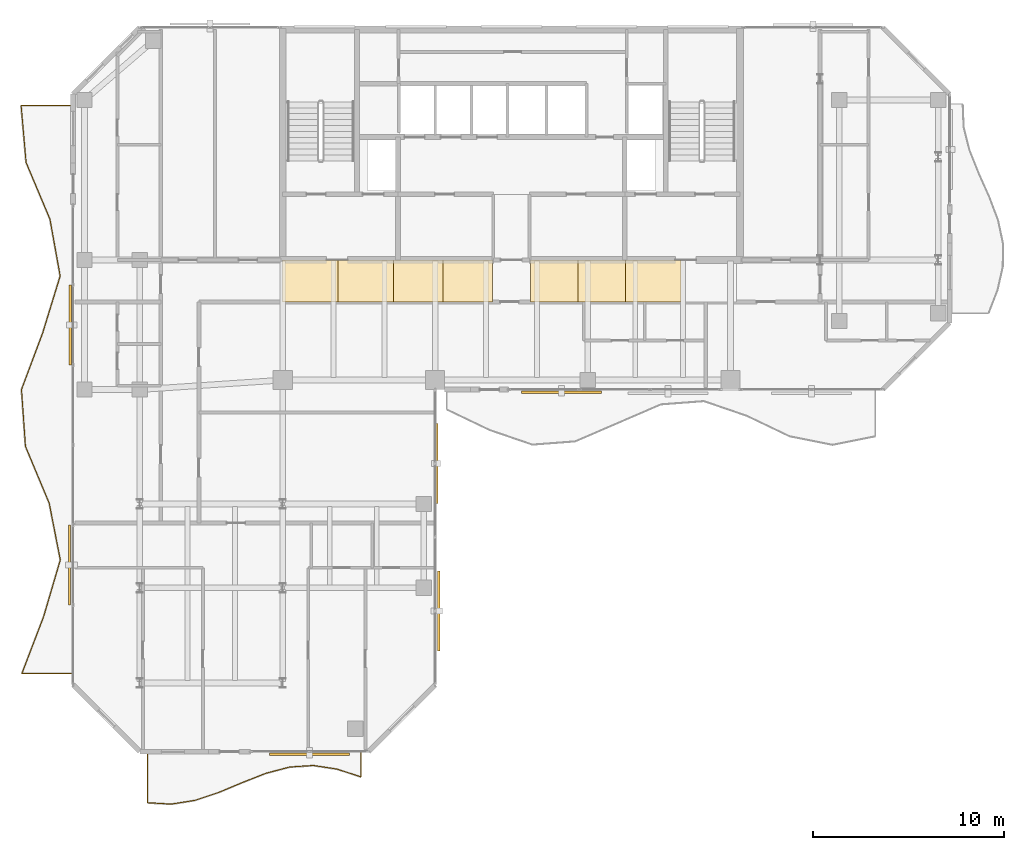
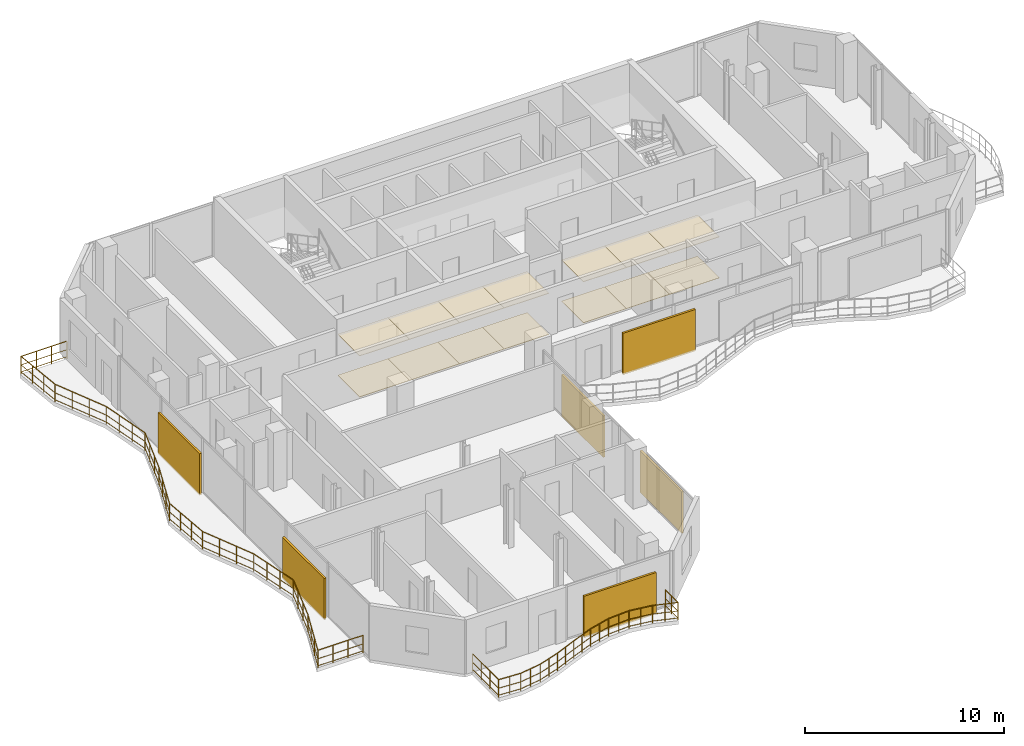
# One storey, part 21 of 23: 14 coverings, 6 shading devices, 2 railings.
"""IFC4 building model written with IfcOpenShell, lengths in metres."""

from ifc_helpers import new_model, si_unit, direction, frame, origin, origin_2d, place, context, subcontext, project, spatial, polyline, rectangle, circle, outline, extrude, material, layer, layer_set, type_object, element, save


model = new_model("IFC4")

# Units and contexts
model_context = context("Model", 3, precision=1e-05, world=origin(), true_north=direction((0.0, 1.0)))
body_context = subcontext(model_context, "Body", "Model", "MODEL_VIEW")
ifc_project = project(units=[si_unit("LENGTHUNIT", "METRE"), si_unit("AREAUNIT", "SQUARE_METRE"), si_unit("VOLUMEUNIT", "CUBIC_METRE"), si_unit("PLANEANGLEUNIT", "RADIAN"), si_unit("MASSUNIT", "GRAM", prefix="KILO")], contexts=[model_context])

# Site, building, storey
site_placement = place(None, origin())
site = spatial("IfcSite", under=ifc_project, at=site_placement, CompositionType="ELEMENT")
building_placement = place(site_placement, origin())
building = spatial("IfcBuilding", under=site, at=building_placement, Name="Catumbela Crestline Tower", CompositionType="ELEMENT")
storey_placement = place(building_placement, frame((0.0, 0.0, 186.6)))
storey = spatial("IfcBuildingStorey", under=building, at=storey_placement, Name="L48", CompositionType="ELEMENT", Elevation=186.6)

# Coverings
ifc_material_1 = material(Name="Mineral-fibre acoustic ceiling")
ifc_layer_1 = layer(ifc_material_1, 0.03, Name="Mineral-fibre acoustic ceiling")
ifc_layer_set_1 = layer_set([ifc_layer_1], Name="Mineral-fibre acoustic ceiling")
covering_type_1 = type_object("IfcCoveringType", Name="CC-AC", PredefinedType="CEILING", material=ifc_layer_set_1)
covering_1_placement = place(storey_placement, frame((0.0, 0.0, 2.52)))
element("IfcCovering", 1, at=covering_1_placement, inside=storey, type_object=covering_type_1, Name="L48 Corridor Acoustic Ceiling Bay 1", PredefinedType="CEILING", context=body_context, shape_type="SweptSolid", body=[
    extrude(outline(polyline([(16.0, 28.6), (18.9, 28.6), (18.9, 30.8), (16.0, 30.8), (16.0, 28.6)])), origin(), (0.0, 0.0, 1.0), 0.03),
])
covering_2_placement = place(storey_placement, frame((0.0, 0.0, 2.52)))
element("IfcCovering", 2, at=covering_2_placement, inside=storey, type_object=covering_type_1, Name="L48 Corridor Acoustic Ceiling Bay 2", PredefinedType="CEILING", context=body_context, shape_type="SweptSolid", body=[
    extrude(outline(polyline([(18.9, 28.6), (21.8, 28.6), (21.8, 30.8), (18.9, 30.8), (18.9, 28.6)])), origin(), (0.0, 0.0, 1.0), 0.03),
])
covering_3_placement = place(storey_placement, frame((0.0, 0.0, 2.52)))
element("IfcCovering", 3, at=covering_3_placement, inside=storey, type_object=covering_type_1, Name="L48 Corridor Acoustic Ceiling Bay 3", PredefinedType="CEILING", context=body_context, shape_type="SweptSolid", body=[
    extrude(outline(polyline([(21.8, 28.6), (24.4, 28.6), (24.4, 30.8), (21.8, 30.8), (21.8, 28.6)])), origin(), (0.0, 0.0, 1.0), 0.03),
])
covering_4_placement = place(storey_placement, frame((0.0, 0.0, 2.52)))
element("IfcCovering", 4, at=covering_4_placement, inside=storey, type_object=covering_type_1, Name="L48 Corridor Acoustic Ceiling Bay 4", PredefinedType="CEILING", context=body_context, shape_type="SweptSolid", body=[
    extrude(outline(polyline([(24.4, 28.6), (27.0, 28.6), (27.0, 30.8), (24.4, 30.8), (24.4, 28.6)])), origin(), (0.0, 0.0, 1.0), 0.03),
])
covering_5_placement = place(storey_placement, frame((0.0, 0.0, 2.52)))
element("IfcCovering", 5, at=covering_5_placement, inside=storey, type_object=covering_type_1, Name="L48 Corridor Acoustic Ceiling Bay 5", PredefinedType="CEILING", context=body_context, shape_type="SweptSolid", body=[
    extrude(outline(polyline([(29.0, 28.6), (31.5, 28.6), (31.5, 30.8), (29.0, 30.8), (29.0, 28.6)])), origin(), (0.0, 0.0, 1.0), 0.03),
])
covering_6_placement = place(storey_placement, frame((0.0, 0.0, 2.52)))
element("IfcCovering", 6, at=covering_6_placement, inside=storey, type_object=covering_type_1, Name="L48 Corridor Acoustic Ceiling Bay 6", PredefinedType="CEILING", context=body_context, shape_type="SweptSolid", body=[
    extrude(outline(polyline([(31.5, 28.6), (34.0, 28.6), (34.0, 30.8), (31.5, 30.8), (31.5, 28.6)])), origin(), (0.0, 0.0, 1.0), 0.03),
])
covering_7_placement = place(storey_placement, frame((0.0, 0.0, 2.52)))
element("IfcCovering", 7, at=covering_7_placement, inside=storey, type_object=covering_type_1, Name="L48 Corridor Acoustic Ceiling Bay 7", PredefinedType="CEILING", context=body_context, shape_type="SweptSolid", body=[
    extrude(outline(polyline([(34.0, 28.6), (36.9, 28.6), (36.9, 30.8), (34.0, 30.8), (34.0, 28.6)])), origin(), (0.0, 0.0, 1.0), 0.03),
])
ifc_material_2 = material(Name="Angolan grey-ochre granite", Category="masonry")
ifc_layer_2 = layer(ifc_material_2, 0.025, Name="Angolan grey-ochre granite")
ifc_layer_set_2 = layer_set([ifc_layer_2], Name="Angolan grey-ochre granite")
covering_type_2 = type_object("IfcCoveringType", Name="CF-GR", PredefinedType="FLOORING", material=ifc_layer_set_2)
covering_8_placement = place(storey_placement, origin())
element("IfcCovering", 8, at=covering_8_placement, inside=storey, type_object=covering_type_2, Name="L48 Corridor Granite Flooring Bay 1", PredefinedType="FLOORING", context=body_context, shape_type="SweptSolid", body=[
    extrude(outline(polyline([(16.0, 28.6), (18.9, 28.6), (18.9, 30.8), (16.0, 30.8), (16.0, 28.6)])), origin(), (0.0, 0.0, 1.0), 0.025),
])
covering_9_placement = place(storey_placement, origin())
element("IfcCovering", 9, at=covering_9_placement, inside=storey, type_object=covering_type_2, Name="L48 Corridor Granite Flooring Bay 2", PredefinedType="FLOORING", context=body_context, shape_type="SweptSolid", body=[
    extrude(outline(polyline([(18.9, 28.6), (21.8, 28.6), (21.8, 30.8), (18.9, 30.8), (18.9, 28.6)])), origin(), (0.0, 0.0, 1.0), 0.025),
])
covering_10_placement = place(storey_placement, origin())
element("IfcCovering", 10, at=covering_10_placement, inside=storey, type_object=covering_type_2, Name="L48 Corridor Granite Flooring Bay 3", PredefinedType="FLOORING", context=body_context, shape_type="SweptSolid", body=[
    extrude(outline(polyline([(21.8, 28.6), (24.4, 28.6), (24.4, 30.8), (21.8, 30.8), (21.8, 28.6)])), origin(), (0.0, 0.0, 1.0), 0.025),
])
covering_11_placement = place(storey_placement, origin())
element("IfcCovering", 11, at=covering_11_placement, inside=storey, type_object=covering_type_2, Name="L48 Corridor Granite Flooring Bay 4", PredefinedType="FLOORING", context=body_context, shape_type="SweptSolid", body=[
    extrude(outline(polyline([(24.4, 28.6), (27.0, 28.6), (27.0, 30.8), (24.4, 30.8), (24.4, 28.6)])), origin(), (0.0, 0.0, 1.0), 0.025),
])
covering_12_placement = place(storey_placement, origin())
element("IfcCovering", 12, at=covering_12_placement, inside=storey, type_object=covering_type_2, Name="L48 Corridor Granite Flooring Bay 5", PredefinedType="FLOORING", context=body_context, shape_type="SweptSolid", body=[
    extrude(outline(polyline([(29.0, 28.6), (31.5, 28.6), (31.5, 30.8), (29.0, 30.8), (29.0, 28.6)])), origin(), (0.0, 0.0, 1.0), 0.025),
])
covering_13_placement = place(storey_placement, origin())
element("IfcCovering", 13, at=covering_13_placement, inside=storey, type_object=covering_type_2, Name="L48 Corridor Granite Flooring Bay 6", PredefinedType="FLOORING", context=body_context, shape_type="SweptSolid", body=[
    extrude(outline(polyline([(31.5, 28.6), (34.0, 28.6), (34.0, 30.8), (31.5, 30.8), (31.5, 28.6)])), origin(), (0.0, 0.0, 1.0), 0.025),
])
covering_14_placement = place(storey_placement, origin())
element("IfcCovering", 14, at=covering_14_placement, inside=storey, type_object=covering_type_2, Name="L48 Corridor Granite Flooring Bay 7", PredefinedType="FLOORING", context=body_context, shape_type="SweptSolid", body=[
    extrude(outline(polyline([(34.0, 28.6), (36.9, 28.6), (36.9, 30.8), (34.0, 30.8), (34.0, 28.6)])), origin(), (0.0, 0.0, 1.0), 0.025),
])

# Railings
ifc_material_3 = material(Name="Stainless steel EN 1.4401", Category="steel")
railing_type = type_object("IfcRailingType", Name="RB-1100", PredefinedType="BALUSTRADE", material=ifc_material_3)
railing_1_placement = place(storey_placement, frame((8.9, 4.94, 0.0)))
element("IfcRailing", 15, at=railing_1_placement, inside=storey, type_object=railing_type, Name="L48 Private Wave Balcony Balustrade 3", PredefinedType="BALUSTRADE", context=body_context, shape_type="SweptSolid", body=[
    extrude(circle(Radius=0.024, at=origin_2d()), frame((0.0, 0.0, 1.076), z_axis=(0.0, -1.0, 0.0), x_axis=(1.0, 0.0, 0.0)), (0.0, 0.0, 1.0), 2.6198),
    extrude(circle(Radius=0.0156, at=origin_2d()), frame((0.0, 0.0, 0.55), z_axis=(0.0, -1.0, 0.0), x_axis=(1.0, 0.0, 0.0)), (0.0, 0.0, 1.0), 2.6198),
    extrude(circle(Radius=0.0156, at=origin_2d()), frame((0.0, 0.0, 0.12), z_axis=(0.0, -1.0, 0.0), x_axis=(1.0, 0.0, 0.0)), (0.0, 0.0, 1.0), 2.6198),
    extrude(circle(Radius=0.024, at=origin_2d()), frame((0.0, -2.6198, 1.076), z_axis=(0.998302474505, -0.058242333373, 0.0), x_axis=(0.058242333373, 0.998302474505, 0.0)), (0.0, 0.0, 1.0), 1.2465),
    extrude(circle(Radius=0.0156, at=origin_2d()), frame((0.0, -2.6198, 0.55), z_axis=(0.998302474505, -0.058242333373, 0.0), x_axis=(0.058242333373, 0.998302474505, 0.0)), (0.0, 0.0, 1.0), 1.2465),
    extrude(circle(Radius=0.0156, at=origin_2d()), frame((0.0, -2.6198, 0.12), z_axis=(0.998302474505, -0.058242333373, 0.0), x_axis=(0.058242333373, 0.998302474505, 0.0)), (0.0, 0.0, 1.0), 1.2465),
    extrude(circle(Radius=0.024, at=origin_2d()), frame((1.2444, -2.6924, 1.076), z_axis=(0.987775189756, 0.155885132397, 0.0), x_axis=(-0.155885132397, 0.987775189756, 0.0)), (0.0, 0.0, 1.0), 1.2599),
    extrude(circle(Radius=0.0156, at=origin_2d()), frame((1.2444, -2.6924, 0.55), z_axis=(0.987775189756, 0.155885132397, 0.0), x_axis=(-0.155885132397, 0.987775189756, 0.0)), (0.0, 0.0, 1.0), 1.2599),
    extrude(circle(Radius=0.0156, at=origin_2d()), frame((1.2444, -2.6924, 0.12), z_axis=(0.987775189756, 0.155885132397, 0.0), x_axis=(-0.155885132397, 0.987775189756, 0.0)), (0.0, 0.0, 1.0), 1.2599),
    extrude(circle(Radius=0.024, at=origin_2d()), frame((2.4889, -2.496, 1.076), z_axis=(0.949071544153, 0.315060635559, 0.0), x_axis=(-0.315060635559, 0.949071544153, 0.0)), (0.0, 0.0, 1.0), 1.3112),
    extrude(circle(Radius=0.0156, at=origin_2d()), frame((2.4889, -2.496, 0.55), z_axis=(0.949071544153, 0.315060635559, 0.0), x_axis=(-0.315060635559, 0.949071544153, 0.0)), (0.0, 0.0, 1.0), 1.3112),
    extrude(circle(Radius=0.0156, at=origin_2d()), frame((2.4889, -2.496, 0.12), z_axis=(0.949071544153, 0.315060635559, 0.0), x_axis=(-0.315060635559, 0.949071544153, 0.0)), (0.0, 0.0, 1.0), 1.3112),
    extrude(circle(Radius=0.024, at=origin_2d()), frame((3.7333, -2.0829, 1.076), z_axis=(0.922666218007, 0.385599598221, 0.0), x_axis=(-0.385599598221, 0.922666218007, 0.0)), (0.0, 0.0, 1.0), 1.3488),
    extrude(circle(Radius=0.0156, at=origin_2d()), frame((3.7333, -2.0829, 0.55), z_axis=(0.922666218007, 0.385599598221, 0.0), x_axis=(-0.385599598221, 0.922666218007, 0.0)), (0.0, 0.0, 1.0), 1.3488),
    extrude(circle(Radius=0.0156, at=origin_2d()), frame((3.7333, -2.0829, 0.12), z_axis=(0.922666218007, 0.385599598221, 0.0), x_axis=(-0.385599598221, 0.922666218007, 0.0)), (0.0, 0.0, 1.0), 1.3488),
    extrude(circle(Radius=0.024, at=origin_2d()), frame((4.9778, -1.5628, 1.076), z_axis=(0.930718762797, 0.365735675834, 0.0), x_axis=(-0.365735675834, 0.930718762797, 0.0)), (0.0, 0.0, 1.0), 1.337),
    extrude(circle(Radius=0.0156, at=origin_2d()), frame((4.9778, -1.5628, 0.55), z_axis=(0.930718762797, 0.365735675834, 0.0), x_axis=(-0.365735675834, 0.930718762797, 0.0)), (0.0, 0.0, 1.0), 1.337),
    extrude(circle(Radius=0.0156, at=origin_2d()), frame((4.9778, -1.5628, 0.12), z_axis=(0.930718762797, 0.365735675834, 0.0), x_axis=(-0.365735675834, 0.930718762797, 0.0)), (0.0, 0.0, 1.0), 1.337),
    extrude(circle(Radius=0.024, at=origin_2d()), frame((6.2222, -1.0738, 1.076), z_axis=(0.96697885349, 0.254856620285, 0.0), x_axis=(-0.254856620285, 0.96697885349, 0.0)), (0.0, 0.0, 1.0), 1.287),
    extrude(circle(Radius=0.0156, at=origin_2d()), frame((6.2222, -1.0738, 0.55), z_axis=(0.96697885349, 0.254856620285, 0.0), x_axis=(-0.254856620285, 0.96697885349, 0.0)), (0.0, 0.0, 1.0), 1.287),
    extrude(circle(Radius=0.0156, at=origin_2d()), frame((6.2222, -1.0738, 0.12), z_axis=(0.96697885349, 0.254856620285, 0.0), x_axis=(-0.254856620285, 0.96697885349, 0.0)), (0.0, 0.0, 1.0), 1.287),
    extrude(circle(Radius=0.024, at=origin_2d()), frame((7.4667, -0.7458, 1.076), z_axis=(0.997950165326, 0.063995839917, 0.0), x_axis=(-0.063995839917, 0.997950165326, 0.0)), (0.0, 0.0, 1.0), 1.247),
    extrude(circle(Radius=0.0156, at=origin_2d()), frame((7.4667, -0.7458, 0.55), z_axis=(0.997950165326, 0.063995839917, 0.0), x_axis=(-0.063995839917, 0.997950165326, 0.0)), (0.0, 0.0, 1.0), 1.247),
    extrude(circle(Radius=0.0156, at=origin_2d()), frame((7.4667, -0.7458, 0.12), z_axis=(0.997950165326, 0.063995839917, 0.0), x_axis=(-0.063995839917, 0.997950165326, 0.0)), (0.0, 0.0, 1.0), 1.247),
    extrude(circle(Radius=0.024, at=origin_2d()), frame((8.7111, -0.666, 1.076), z_axis=(0.98860470661, -0.15053482676, 0.0), x_axis=(0.15053482676, 0.98860470661, 0.0)), (0.0, 0.0, 1.0), 1.2588),
    extrude(circle(Radius=0.0156, at=origin_2d()), frame((8.7111, -0.666, 0.55), z_axis=(0.98860470661, -0.15053482676, 0.0), x_axis=(0.15053482676, 0.98860470661, 0.0)), (0.0, 0.0, 1.0), 1.2588),
    extrude(circle(Radius=0.0156, at=origin_2d()), frame((8.7111, -0.666, 0.12), z_axis=(0.98860470661, -0.15053482676, 0.0), x_axis=(0.15053482676, 0.98860470661, 0.0)), (0.0, 0.0, 1.0), 1.2588),
    extrude(circle(Radius=0.024, at=origin_2d()), frame((9.9556, -0.8555, 1.076), z_axis=(0.950116461378, -0.31189535075, 0.0), x_axis=(0.31189535075, 0.950116461378, 0.0)), (0.0, 0.0, 1.0), 1.3097),
    extrude(circle(Radius=0.0156, at=origin_2d()), frame((9.9556, -0.8555, 0.55), z_axis=(0.950116461378, -0.31189535075, 0.0), x_axis=(0.31189535075, 0.950116461378, 0.0)), (0.0, 0.0, 1.0), 1.3097),
    extrude(circle(Radius=0.0156, at=origin_2d()), frame((9.9556, -0.8555, 0.12), z_axis=(0.950116461378, -0.31189535075, 0.0), x_axis=(0.31189535075, 0.950116461378, 0.0)), (0.0, 0.0, 1.0), 1.3097),
    extrude(circle(Radius=0.024, at=origin_2d()), frame((11.2, -1.264, 1.076), z_axis=(0.0, 1.0, 0.0), x_axis=(-1.0, 0.0, 0.0)), (0.0, 0.0, 1.0), 1.264),
    extrude(circle(Radius=0.0156, at=origin_2d()), frame((11.2, -1.264, 0.55), z_axis=(0.0, 1.0, 0.0), x_axis=(-1.0, 0.0, 0.0)), (0.0, 0.0, 1.0), 1.264),
    extrude(circle(Radius=0.0156, at=origin_2d()), frame((11.2, -1.264, 0.12), z_axis=(0.0, 1.0, 0.0), x_axis=(-1.0, 0.0, 0.0)), (0.0, 0.0, 1.0), 1.264),
    extrude(circle(Radius=0.021, at=origin_2d()), origin(), (0.0, 0.0, 1.0), 1.052),
    extrude(circle(Radius=0.021, at=origin_2d()), frame((0.0, -0.8733, 0.0)), (0.0, 0.0, 1.0), 1.052),
    extrude(circle(Radius=0.021, at=origin_2d()), frame((0.0, -1.7465, 0.0)), (0.0, 0.0, 1.0), 1.052),
    extrude(circle(Radius=0.021, at=origin_2d()), frame((0.0, -2.6198, 0.0)), (0.0, 0.0, 1.0), 1.052),
    extrude(circle(Radius=0.021, at=origin_2d()), frame((0.6222, -2.6561, 0.0)), (0.0, 0.0, 1.0), 1.052),
    extrude(circle(Radius=0.021, at=origin_2d()), frame((1.2444, -2.6924, 0.0)), (0.0, 0.0, 1.0), 1.052),
    extrude(circle(Radius=0.021, at=origin_2d()), frame((1.8666, -2.5942, 0.0)), (0.0, 0.0, 1.0), 1.052),
    extrude(circle(Radius=0.021, at=origin_2d()), frame((2.4889, -2.496, 0.0)), (0.0, 0.0, 1.0), 1.052),
    extrude(circle(Radius=0.021, at=origin_2d()), frame((3.1111, -2.2895, 0.0)), (0.0, 0.0, 1.0), 1.052),
    extrude(circle(Radius=0.021, at=origin_2d()), frame((3.7333, -2.0829, 0.0)), (0.0, 0.0, 1.0), 1.052),
    extrude(circle(Radius=0.021, at=origin_2d()), frame((4.3556, -1.8229, 0.0)), (0.0, 0.0, 1.0), 1.052),
    extrude(circle(Radius=0.021, at=origin_2d()), frame((4.9778, -1.5628, 0.0)), (0.0, 0.0, 1.0), 1.052),
    extrude(circle(Radius=0.021, at=origin_2d()), frame((5.6, -1.3183, 0.0)), (0.0, 0.0, 1.0), 1.052),
    extrude(circle(Radius=0.021, at=origin_2d()), frame((6.2222, -1.0738, 0.0)), (0.0, 0.0, 1.0), 1.052),
    extrude(circle(Radius=0.021, at=origin_2d()), frame((6.8444, -0.9098, 0.0)), (0.0, 0.0, 1.0), 1.052),
    extrude(circle(Radius=0.021, at=origin_2d()), frame((7.4667, -0.7458, 0.0)), (0.0, 0.0, 1.0), 1.052),
    extrude(circle(Radius=0.021, at=origin_2d()), frame((8.0889, -0.7059, 0.0)), (0.0, 0.0, 1.0), 1.052),
    extrude(circle(Radius=0.021, at=origin_2d()), frame((8.7111, -0.666, 0.0)), (0.0, 0.0, 1.0), 1.052),
    extrude(circle(Radius=0.021, at=origin_2d()), frame((9.3334, -0.7608, 0.0)), (0.0, 0.0, 1.0), 1.052),
    extrude(circle(Radius=0.021, at=origin_2d()), frame((9.9556, -0.8555, 0.0)), (0.0, 0.0, 1.0), 1.052),
    extrude(circle(Radius=0.021, at=origin_2d()), frame((10.5778, -1.0598, 0.0)), (0.0, 0.0, 1.0), 1.052),
    extrude(circle(Radius=0.021, at=origin_2d()), frame((11.2, -1.264, 0.0)), (0.0, 0.0, 1.0), 1.052),
    extrude(circle(Radius=0.021, at=origin_2d()), frame((11.2, -0.632, 0.0)), (0.0, 0.0, 1.0), 1.052),
    extrude(circle(Radius=0.021, at=origin_2d()), frame((11.2, 0.0, 0.0)), (0.0, 0.0, 1.0), 1.052),
])
railing_2_placement = place(storey_placement, frame((4.94, 38.9, 0.0)))
element("IfcRailing", 16, at=railing_2_placement, inside=storey, type_object=railing_type, Name="L48 Private Wave Balcony Balustrade 4", PredefinedType="BALUSTRADE", context=body_context, shape_type="SweptSolid", body=[
    extrude(circle(Radius=0.024, at=origin_2d()), frame((0.0, 0.0, 1.076), z_axis=(-1.0, 0.0, 0.0), x_axis=(0.0, -1.0, 0.0)), (0.0, 0.0, 1.0), 2.6674),
    extrude(circle(Radius=0.0156, at=origin_2d()), frame((0.0, 0.0, 0.55), z_axis=(-1.0, 0.0, 0.0), x_axis=(0.0, -1.0, 0.0)), (0.0, 0.0, 1.0), 2.6674),
    extrude(circle(Radius=0.0156, at=origin_2d()), frame((0.0, 0.0, 0.12), z_axis=(-1.0, 0.0, 0.0), x_axis=(0.0, -1.0, 0.0)), (0.0, 0.0, 1.0), 2.6674),
    extrude(circle(Radius=0.024, at=origin_2d()), frame((-2.6674, 0.0, 1.076), z_axis=(0.086752236148, -0.996229918003, 0.0), x_axis=(0.996229918003, 0.086752236148, 0.0)), (0.0, 0.0, 1.0), 2.9913),
    extrude(circle(Radius=0.0156, at=origin_2d()), frame((-2.6674, 0.0, 0.55), z_axis=(0.086752236148, -0.996229918003, 0.0), x_axis=(0.996229918003, 0.086752236148, 0.0)), (0.0, 0.0, 1.0), 2.9913),
    extrude(circle(Radius=0.0156, at=origin_2d()), frame((-2.6674, 0.0, 0.12), z_axis=(0.086752236148, -0.996229918003, 0.0), x_axis=(0.996229918003, 0.086752236148, 0.0)), (0.0, 0.0, 1.0), 2.9913),
    extrude(circle(Radius=0.024, at=origin_2d()), frame((-2.4079, -2.98, 1.076), z_axis=(0.387810849526, -0.921738978773, 0.0), x_axis=(0.921738978773, 0.387810849526, 0.0)), (0.0, 0.0, 1.0), 3.233),
    extrude(circle(Radius=0.0156, at=origin_2d()), frame((-2.4079, -2.98, 0.55), z_axis=(0.387810849526, -0.921738978773, 0.0), x_axis=(0.921738978773, 0.387810849526, 0.0)), (0.0, 0.0, 1.0), 3.233),
    extrude(circle(Radius=0.0156, at=origin_2d()), frame((-2.4079, -2.98, 0.12), z_axis=(0.387810849526, -0.921738978773, 0.0), x_axis=(0.921738978773, 0.387810849526, 0.0)), (0.0, 0.0, 1.0), 3.233),
    extrude(circle(Radius=0.024, at=origin_2d()), frame((-1.1541, -5.96, 1.076), z_axis=(0.176865067242, -0.984235108086, 0.0), x_axis=(0.984235108086, 0.176865067242, 0.0)), (0.0, 0.0, 1.0), 3.0277),
    extrude(circle(Radius=0.0156, at=origin_2d()), frame((-1.1541, -5.96, 0.55), z_axis=(0.176865067242, -0.984235108086, 0.0), x_axis=(0.984235108086, 0.176865067242, 0.0)), (0.0, 0.0, 1.0), 3.0277),
    extrude(circle(Radius=0.0156, at=origin_2d()), frame((-1.1541, -5.96, 0.12), z_axis=(0.176865067242, -0.984235108086, 0.0), x_axis=(0.984235108086, 0.176865067242, 0.0)), (0.0, 0.0, 1.0), 3.0277),
    extrude(circle(Radius=0.024, at=origin_2d()), frame((-0.6186, -8.94, 1.076), z_axis=(-0.293375662703, -0.955997238769, 0.0), x_axis=(0.955997238769, -0.293375662703, 0.0)), (0.0, 0.0, 1.0), 3.1172),
    extrude(circle(Radius=0.0156, at=origin_2d()), frame((-0.6186, -8.94, 0.55), z_axis=(-0.293375662703, -0.955997238769, 0.0), x_axis=(0.955997238769, -0.293375662703, 0.0)), (0.0, 0.0, 1.0), 3.1172),
    extrude(circle(Radius=0.0156, at=origin_2d()), frame((-0.6186, -8.94, 0.12), z_axis=(-0.293375662703, -0.955997238769, 0.0), x_axis=(0.955997238769, -0.293375662703, 0.0)), (0.0, 0.0, 1.0), 3.1172),
    extrude(circle(Radius=0.024, at=origin_2d()), frame((-1.5331, -11.92, 1.076), z_axis=(-0.350462058547, -0.936576929846, 0.0), x_axis=(0.936576929846, -0.350462058547, 0.0)), (0.0, 0.0, 1.0), 3.1818),
    extrude(circle(Radius=0.0156, at=origin_2d()), frame((-1.5331, -11.92, 0.55), z_axis=(-0.350462058547, -0.936576929846, 0.0), x_axis=(0.936576929846, -0.350462058547, 0.0)), (0.0, 0.0, 1.0), 3.1818),
    extrude(circle(Radius=0.0156, at=origin_2d()), frame((-1.5331, -11.92, 0.12), z_axis=(-0.350462058547, -0.936576929846, 0.0), x_axis=(0.936576929846, -0.350462058547, 0.0)), (0.0, 0.0, 1.0), 3.1818),
    extrude(circle(Radius=0.024, at=origin_2d()), frame((-2.6482, -14.9, 1.076), z_axis=(0.069462682638, -0.997584550663, 0.0), x_axis=(0.997584550663, 0.069462682638, 0.0)), (0.0, 0.0, 1.0), 2.9872),
    extrude(circle(Radius=0.0156, at=origin_2d()), frame((-2.6482, -14.9, 0.55), z_axis=(0.069462682638, -0.997584550663, 0.0), x_axis=(0.997584550663, 0.069462682638, 0.0)), (0.0, 0.0, 1.0), 2.9872),
    extrude(circle(Radius=0.0156, at=origin_2d()), frame((-2.6482, -14.9, 0.12), z_axis=(0.069462682638, -0.997584550663, 0.0), x_axis=(0.997584550663, 0.069462682638, 0.0)), (0.0, 0.0, 1.0), 2.9872),
    extrude(circle(Radius=0.024, at=origin_2d()), frame((-2.4407, -17.88, 1.076), z_axis=(0.385942663406, -0.922522769672, 0.0), x_axis=(0.922522769672, 0.385942663406, 0.0)), (0.0, 0.0, 1.0), 3.2303),
    extrude(circle(Radius=0.0156, at=origin_2d()), frame((-2.4407, -17.88, 0.55), z_axis=(0.385942663406, -0.922522769672, 0.0), x_axis=(0.922522769672, 0.385942663406, 0.0)), (0.0, 0.0, 1.0), 3.2303),
    extrude(circle(Radius=0.0156, at=origin_2d()), frame((-2.4407, -17.88, 0.12), z_axis=(0.385942663406, -0.922522769672, 0.0), x_axis=(0.922522769672, 0.385942663406, 0.0)), (0.0, 0.0, 1.0), 3.2303),
    extrude(circle(Radius=0.024, at=origin_2d()), frame((-1.194, -20.86, 1.076), z_axis=(0.191934377038, -0.981407761795, 0.0), x_axis=(0.981407761795, 0.191934377038, 0.0)), (0.0, 0.0, 1.0), 3.0365),
    extrude(circle(Radius=0.0156, at=origin_2d()), frame((-1.194, -20.86, 0.55), z_axis=(0.191934377038, -0.981407761795, 0.0), x_axis=(0.981407761795, 0.191934377038, 0.0)), (0.0, 0.0, 1.0), 3.0365),
    extrude(circle(Radius=0.0156, at=origin_2d()), frame((-1.194, -20.86, 0.12), z_axis=(0.191934377038, -0.981407761795, 0.0), x_axis=(0.981407761795, 0.191934377038, 0.0)), (0.0, 0.0, 1.0), 3.0365),
    extrude(circle(Radius=0.024, at=origin_2d()), frame((-0.6112, -23.84, 1.076), z_axis=(-0.282382429391, -0.959301914713, 0.0), x_axis=(0.959301914713, -0.282382429391, 0.0)), (0.0, 0.0, 1.0), 3.1064),
    extrude(circle(Radius=0.0156, at=origin_2d()), frame((-0.6112, -23.84, 0.55), z_axis=(-0.282382429391, -0.959301914713, 0.0), x_axis=(0.959301914713, -0.282382429391, 0.0)), (0.0, 0.0, 1.0), 3.1064),
    extrude(circle(Radius=0.0156, at=origin_2d()), frame((-0.6112, -23.84, 0.12), z_axis=(-0.282382429391, -0.959301914713, 0.0), x_axis=(0.959301914713, -0.282382429391, 0.0)), (0.0, 0.0, 1.0), 3.1064),
    extrude(circle(Radius=0.024, at=origin_2d()), frame((-1.4884, -26.82, 1.076), z_axis=(-0.356997506143, -0.934105336998, 0.0), x_axis=(0.934105336998, -0.356997506143, 0.0)), (0.0, 0.0, 1.0), 3.1902),
    extrude(circle(Radius=0.0156, at=origin_2d()), frame((-1.4884, -26.82, 0.55), z_axis=(-0.356997506143, -0.934105336998, 0.0), x_axis=(0.934105336998, -0.356997506143, 0.0)), (0.0, 0.0, 1.0), 3.1902),
    extrude(circle(Radius=0.0156, at=origin_2d()), frame((-1.4884, -26.82, 0.12), z_axis=(-0.356997506143, -0.934105336998, 0.0), x_axis=(0.934105336998, -0.356997506143, 0.0)), (0.0, 0.0, 1.0), 3.1902),
    extrude(circle(Radius=0.024, at=origin_2d()), frame((-2.6273, -29.8, 1.076), z_axis=(1.0, 0.0, 0.0), x_axis=(0.0, 1.0, 0.0)), (0.0, 0.0, 1.0), 2.6273),
    extrude(circle(Radius=0.0156, at=origin_2d()), frame((-2.6273, -29.8, 0.55), z_axis=(1.0, 0.0, 0.0), x_axis=(0.0, 1.0, 0.0)), (0.0, 0.0, 1.0), 2.6273),
    extrude(circle(Radius=0.0156, at=origin_2d()), frame((-2.6273, -29.8, 0.12), z_axis=(1.0, 0.0, 0.0), x_axis=(0.0, 1.0, 0.0)), (0.0, 0.0, 1.0), 2.6273),
    extrude(circle(Radius=0.021, at=origin_2d()), origin(), (0.0, 0.0, 1.0), 1.052),
    extrude(circle(Radius=0.021, at=origin_2d()), frame((-0.8891, 0.0, 0.0)), (0.0, 0.0, 1.0), 1.052),
    extrude(circle(Radius=0.021, at=origin_2d()), frame((-1.7783, 0.0, 0.0)), (0.0, 0.0, 1.0), 1.052),
    extrude(circle(Radius=0.021, at=origin_2d()), frame((-2.6674, 0.0, 0.0)), (0.0, 0.0, 1.0), 1.052),
    extrude(circle(Radius=0.021, at=origin_2d()), frame((-2.5809, -0.9933, 0.0)), (0.0, 0.0, 1.0), 1.052),
    extrude(circle(Radius=0.021, at=origin_2d()), frame((-2.4944, -1.9867, 0.0)), (0.0, 0.0, 1.0), 1.052),
    extrude(circle(Radius=0.021, at=origin_2d()), frame((-2.4079, -2.98, 0.0)), (0.0, 0.0, 1.0), 1.052),
    extrude(circle(Radius=0.021, at=origin_2d()), frame((-1.99, -3.9733, 0.0)), (0.0, 0.0, 1.0), 1.052),
    extrude(circle(Radius=0.021, at=origin_2d()), frame((-1.572, -4.9667, 0.0)), (0.0, 0.0, 1.0), 1.052),
    extrude(circle(Radius=0.021, at=origin_2d()), frame((-1.1541, -5.96, 0.0)), (0.0, 0.0, 1.0), 1.052),
    extrude(circle(Radius=0.021, at=origin_2d()), frame((-0.9756, -6.9533, 0.0)), (0.0, 0.0, 1.0), 1.052),
    extrude(circle(Radius=0.021, at=origin_2d()), frame((-0.7971, -7.9467, 0.0)), (0.0, 0.0, 1.0), 1.052),
    extrude(circle(Radius=0.021, at=origin_2d()), frame((-0.6186, -8.94, 0.0)), (0.0, 0.0, 1.0), 1.052),
    extrude(circle(Radius=0.021, at=origin_2d()), frame((-0.9234, -9.9333, 0.0)), (0.0, 0.0, 1.0), 1.052),
    extrude(circle(Radius=0.021, at=origin_2d()), frame((-1.2283, -10.9267, 0.0)), (0.0, 0.0, 1.0), 1.052),
    extrude(circle(Radius=0.021, at=origin_2d()), frame((-1.5331, -11.92, 0.0)), (0.0, 0.0, 1.0), 1.052),
    extrude(circle(Radius=0.021, at=origin_2d()), frame((-1.9048, -12.9133, 0.0)), (0.0, 0.0, 1.0), 1.052),
    extrude(circle(Radius=0.021, at=origin_2d()), frame((-2.2765, -13.9067, 0.0)), (0.0, 0.0, 1.0), 1.052),
    extrude(circle(Radius=0.021, at=origin_2d()), frame((-2.6482, -14.9, 0.0)), (0.0, 0.0, 1.0), 1.052),
    extrude(circle(Radius=0.021, at=origin_2d()), frame((-2.579, -15.8933, 0.0)), (0.0, 0.0, 1.0), 1.052),
    extrude(circle(Radius=0.021, at=origin_2d()), frame((-2.5099, -16.8867, 0.0)), (0.0, 0.0, 1.0), 1.052),
    extrude(circle(Radius=0.021, at=origin_2d()), frame((-2.4407, -17.88, 0.0)), (0.0, 0.0, 1.0), 1.052),
    extrude(circle(Radius=0.021, at=origin_2d()), frame((-2.0251, -18.8733, 0.0)), (0.0, 0.0, 1.0), 1.052),
    extrude(circle(Radius=0.021, at=origin_2d()), frame((-1.6096, -19.8667, 0.0)), (0.0, 0.0, 1.0), 1.052),
    extrude(circle(Radius=0.021, at=origin_2d()), frame((-1.194, -20.86, 0.0)), (0.0, 0.0, 1.0), 1.052),
    extrude(circle(Radius=0.021, at=origin_2d()), frame((-0.9997, -21.8533, 0.0)), (0.0, 0.0, 1.0), 1.052),
    extrude(circle(Radius=0.021, at=origin_2d()), frame((-0.8055, -22.8467, 0.0)), (0.0, 0.0, 1.0), 1.052),
    extrude(circle(Radius=0.021, at=origin_2d()), frame((-0.6112, -23.84, 0.0)), (0.0, 0.0, 1.0), 1.052),
    extrude(circle(Radius=0.021, at=origin_2d()), frame((-0.9036, -24.8333, 0.0)), (0.0, 0.0, 1.0), 1.052),
    extrude(circle(Radius=0.021, at=origin_2d()), frame((-1.196, -25.8267, 0.0)), (0.0, 0.0, 1.0), 1.052),
    extrude(circle(Radius=0.021, at=origin_2d()), frame((-1.4884, -26.82, 0.0)), (0.0, 0.0, 1.0), 1.052),
    extrude(circle(Radius=0.021, at=origin_2d()), frame((-1.868, -27.8133, 0.0)), (0.0, 0.0, 1.0), 1.052),
    extrude(circle(Radius=0.021, at=origin_2d()), frame((-2.2477, -28.8067, 0.0)), (0.0, 0.0, 1.0), 1.052),
    extrude(circle(Radius=0.021, at=origin_2d()), frame((-2.6273, -29.8, 0.0)), (0.0, 0.0, 1.0), 1.052),
    extrude(circle(Radius=0.021, at=origin_2d()), frame((-1.7515, -29.8, 0.0)), (0.0, 0.0, 1.0), 1.052),
    extrude(circle(Radius=0.021, at=origin_2d()), frame((-0.8758, -29.8, 0.0)), (0.0, 0.0, 1.0), 1.052),
    extrude(circle(Radius=0.021, at=origin_2d()), frame((0.0, -29.8, 0.0)), (0.0, 0.0, 1.0), 1.052),
])

# Shading devices
ifc_material_4 = material(Name="Extruded terracotta ceramic", Category="masonry")
shading_device_type_1 = type_object("IfcShadingDeviceType", Name="ST-180", PredefinedType="USERDEFINED", material=ifc_material_4)
shading_device_placement = place(storey_placement, frame((24.099, 20.125, -0.1), z_axis=(0.0, 0.0, 1.0), x_axis=(0.0, 1.0, 0.0)))
element("IfcShadingDevice", 17, at=shading_device_placement, inside=storey, type_object=shading_device_type_1, Name="L48 Perforated Terracotta Solar Screen 562 (180 mm)", ObjectType="SCREEN", PredefinedType="USERDEFINED", context=body_context, shape_type="SweptSolid", body=[
    extrude(rectangle(XDim=4.2, YDim=0.12, at=origin_2d()), origin(), (0.0, 0.0, 1.0), 2.55),
])
shading_device_type_2 = type_object("IfcShadingDeviceType", Name="ST-260", PredefinedType="USERDEFINED", material=ifc_material_4)
for number, where, z_axis, x_axis, name in (
    (18, (17.4, 4.857, -0.1), (0.0, 0.0, 1.0), (1.0, 0.0, 0.0), "L48 Perforated Terracotta Solar Screen 560 (260 mm)"),
    (19, (30.6375, 23.857, -0.1), (0.0, 0.0, 1.0), (1.0, 0.0, 0.0), "L48 Perforated Terracotta Solar Screen 563 (260 mm)"),
    (20, (4.857, 27.4, -0.1), (0.0, 0.0, 1.0), (0.0, -1.0, 0.0), "L48 Perforated Terracotta Solar Screen 569 (260 mm)"),
):
    element("IfcShadingDevice", number, at=place(storey_placement, frame(where, z_axis=z_axis, x_axis=x_axis)), inside=storey, type_object=shading_device_type_2, Name=name, ObjectType="SCREEN", PredefinedType="USERDEFINED", context=body_context, shape_type="SweptSolid", body=[
        extrude(rectangle(XDim=4.2, YDim=0.12, at=origin_2d()), origin(), (0.0, 0.0, 1.0), 2.55),
    ])
shading_device_type_3 = type_object("IfcShadingDeviceType", Name="ST-340", PredefinedType="USERDEFINED", material=ifc_material_4)
for number, where, z_axis, x_axis, name in (
    (21, (24.187, 12.375, -0.1), (0.0, 0.0, 1.0), (0.0, 1.0, 0.0), "L48 Perforated Terracotta Solar Screen 561 (340 mm)"),
    (22, (4.813, 14.8, -0.1), (0.0, 0.0, 1.0), (0.0, -1.0, 0.0), "L48 Perforated Terracotta Solar Screen 570 (340 mm)"),
):
    element("IfcShadingDevice", number, at=place(storey_placement, frame(where, z_axis=z_axis, x_axis=x_axis)), inside=storey, type_object=shading_device_type_3, Name=name, ObjectType="SCREEN", PredefinedType="USERDEFINED", context=body_context, shape_type="SweptSolid", body=[
        extrude(rectangle(XDim=4.2, YDim=0.12, at=origin_2d()), origin(), (0.0, 0.0, 1.0), 2.55),
    ])

save(model, "model.ifc")
